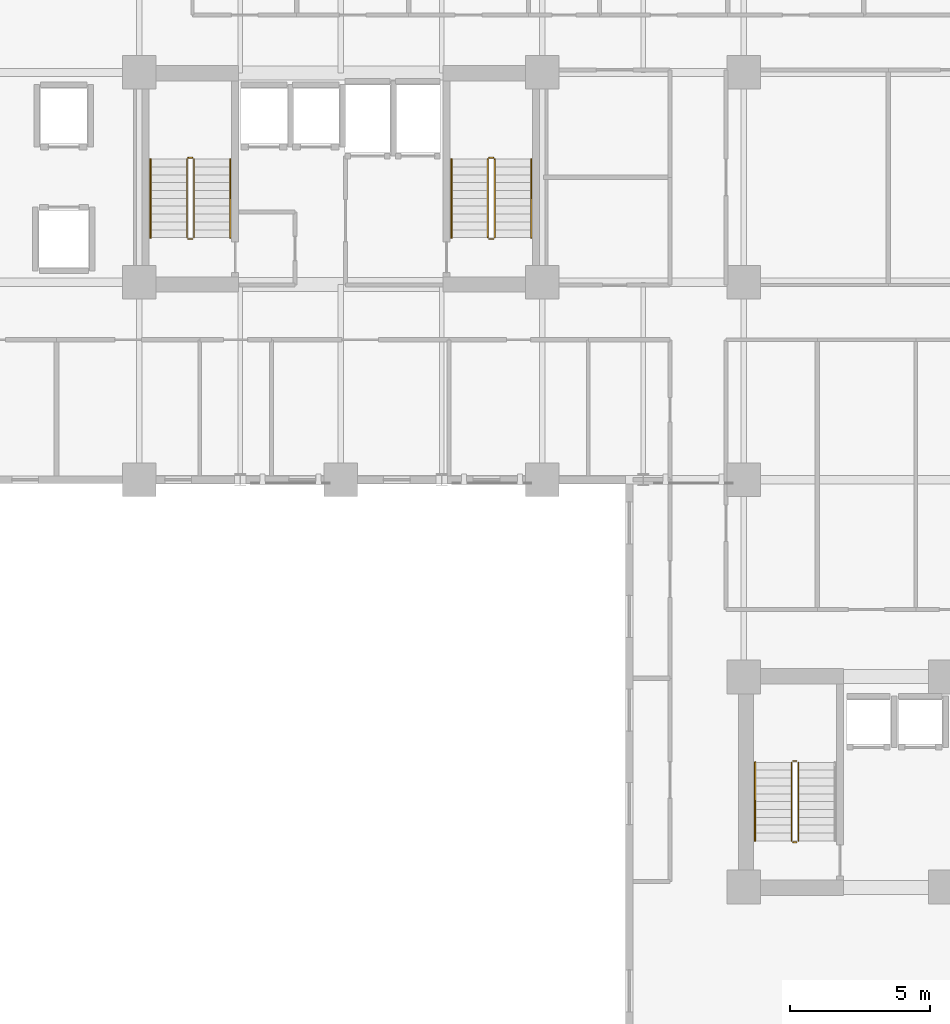
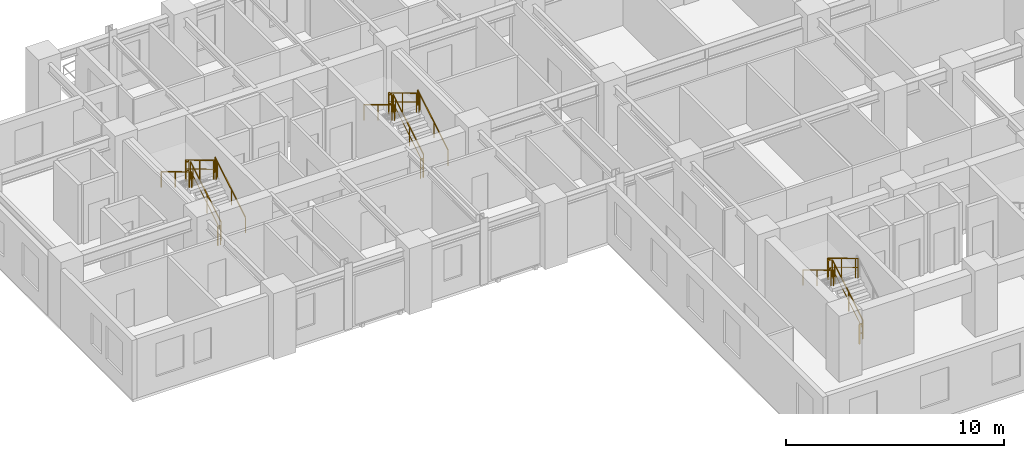
# One storey, part 9 of 11: 17 railings.
"""IFC4 building model written with IfcOpenShell, lengths in metres."""

import ifcopenshell
import ifcopenshell.guid

model = None  # the IFC model being written
_history = None  # IfcOwnerHistory: only IFC2X3 demands one
_inside = {}  # id of a spatial element -> (the spatial element, [elements in it])
_under = {}  # id of a project, library or spatial element -> (it, [spatial elements below it])
_declared = {}  # id of a project -> (the project, [libraries it declares])
_typed = {}  # id of a type object -> (the type object, [elements of that type])
_made_of = {}  # id of a material, layer set ... -> (it, [elements and type objects made of it])


def new_model(schema):
    """Start an empty IFC model of exactly this schema.

    Asked for "IFC4X3", IfcOpenShell would pick the latest addendum, in which some entities
    have other attributes; the version numbers below select the first issue.
    IFC2X3 requires an IfcOwnerHistory on every rooted entity: one is made here for all.
    """
    global model, _history
    if schema == "IFC4X3":
        model = ifcopenshell.file(schema_version=(4, 3, 0, 0))
    else:
        model = ifcopenshell.file(schema=schema)
    _inside.clear()
    _under.clear()
    _declared.clear()
    _typed.clear()
    _made_of.clear()
    _history = None
    if model.schema == "IFC2X3":
        org = make("IfcOrganization", Name="unknown")
        user = make(
            "IfcPersonAndOrganization",
            ThePerson=make("IfcPerson", FamilyName="unknown"),
            TheOrganization=org,
        )
        app = make(
            "IfcApplication",
            ApplicationDeveloper=org,
            Version="unknown",
            ApplicationFullName="unknown",
            ApplicationIdentifier="unknown",
        )
        _history = make(
            "IfcOwnerHistory",
            OwningUser=user,
            OwningApplication=app,
            ChangeAction="ADDED",
            CreationDate=0,
        )
    return model


def make(cls, **values):
    """One entity of the class cls with the attributes given. An attribute that is None is left unset."""
    return model.create_entity(
        cls, **{name: value for name, value in values.items() if value is not None}
    )


def rooted(cls, **values):
    """An entity with a GlobalId (a new one), such as an element, a storey or a relation."""
    return make(cls, GlobalId=ifcopenshell.guid.new(), OwnerHistory=_history, **values)


def si_unit(unit_type, name, prefix=None):
    """IfcSIUnit, for example si_unit("LENGTHUNIT", "METRE", prefix="MILLI")."""
    return make("IfcSIUnit", UnitType=unit_type, Prefix=prefix, Name=name)


def assignment(units):
    """IfcUnitAssignment: the units of a project."""
    return None if units is None else make("IfcUnitAssignment", Units=units)


def point(xyz):
    """IfcCartesianPoint."""
    return None if xyz is None else make("IfcCartesianPoint", Coordinates=xyz)


def direction(xyz):
    """IfcDirection."""
    return None if xyz is None else make("IfcDirection", DirectionRatios=xyz)


def frame(location, z_axis=None, x_axis=None):
    """IfcAxis2Placement3D, a coordinate frame: its origin and axes. An axis left out is left unset."""
    return make(
        "IfcAxis2Placement3D",
        Location=point(location),
        Axis=direction(z_axis),
        RefDirection=direction(x_axis),
    )


def frame_2d(location, x_axis=None):
    """IfcAxis2Placement2D, a coordinate frame in the plane: its origin and x axis."""
    return make(
        "IfcAxis2Placement2D", Location=point(location), RefDirection=direction(x_axis)
    )


def origin():
    """The frame at (0, 0, 0) with its axes left unset."""
    return frame((0.0, 0.0, 0.0))


def origin_2d():
    """The frame at (0, 0) in the plane with its x axis left unset."""
    return frame_2d((0.0, 0.0))


def place(relative_to, where):
    """IfcLocalPlacement: puts the frame where relative to a parent placement (None: the world)."""
    return make(
        "IfcLocalPlacement", PlacementRelTo=relative_to, RelativePlacement=where
    )


def context(
    kind, dimensions, precision=None, world=None, true_north=None, identifier=None
):
    """IfcGeometricRepresentationContext, for example the 3D "Model" context."""
    return make(
        "IfcGeometricRepresentationContext",
        ContextIdentifier=identifier,
        ContextType=kind,
        CoordinateSpaceDimension=dimensions,
        Precision=precision,
        WorldCoordinateSystem=world,
        TrueNorth=true_north,
    )


def subcontext(parent, identifier, kind, view, scale=None):
    """IfcGeometricRepresentationSubContext, for example "Body" below "Model"."""
    return make(
        "IfcGeometricRepresentationSubContext",
        ContextIdentifier=identifier,
        ContextType=kind,
        ParentContext=parent,
        TargetScale=scale,
        TargetView=view,
    )


def project(units=None, contexts=None):
    """IfcProject with its units and contexts."""
    return rooted(
        "IfcProject",
        Name="project",
        RepresentationContexts=contexts,
        UnitsInContext=assignment(units),
    )


def spatial(cls, under=None, at=None, **own):
    """A site, building, storey or space (cls), placed at a placement, below another one or the project."""
    s = rooted(cls, ObjectPlacement=at, **own)
    if under is not None:
        _under.setdefault(under.id(), (under, []))[1].append(s)
    return s


def profile(cls, at=None, kind="AREA", **sizes):
    """A parametric profile (cls). Its sizes go by their IFC names, for example OverallWidth=200.0."""
    return make(cls, ProfileType=kind, Position=at, **sizes)


def rectangle(**sizes):
    """IfcRectangleProfileDef."""
    return profile("IfcRectangleProfileDef", **sizes)


def extrude(swept, where, along, depth):
    """IfcExtrudedAreaSolid: the profile swept, set in the frame where, extruded along a direction by depth."""
    return make(
        "IfcExtrudedAreaSolid",
        SweptArea=swept,
        Position=where,
        ExtrudedDirection=direction(along),
        Depth=depth,
    )


def shape(context_of_items, identifier, shape_type, items):
    """IfcShapeRepresentation: the items that make up one representation, for example the "Body"."""
    return make(
        "IfcShapeRepresentation",
        ContextOfItems=context_of_items,
        RepresentationIdentifier=identifier,
        RepresentationType=shape_type,
        Items=items,
    )


def material(Name=None, Category=None):
    """IfcMaterial."""
    return make("IfcMaterial", Name=Name, Category=Category)


def made_of(thing, what):
    """Note that an element or type object is made of a material, layer set ...; save() writes the relation."""
    if what is not None:
        _made_of.setdefault(what.id(), (what, []))[1].append(thing)
    return thing


def type_object(cls, material=None, **own):
    """A type object (cls), such as IfcWallType, which elements share."""
    return made_of(rooted(cls, **own), material)


def element(
    cls,
    number,
    at=None,
    inside=None,
    cuts=None,
    type_object=None,
    material=None,
    context=None,
    identifier="Body",
    shape_type=None,
    held_by="IfcProductDefinitionShape",
    body=None,
    shapes=None,
    **own,
):
    """One element of the class cls, such as IfcWall. Its Tag is "e" and its number.

    at: its placement. inside: the storey or other place that contains it. cuts: it is an
    opening in that element (IfcRelVoidsElement). A single representation is given by context,
    identifier, shape_type and body (its items); several are given by shapes. held_by: the class
    of the entity that holds the representations. save() writes the other relations.
    """
    e = rooted(cls, Tag="e%d" % number, ObjectPlacement=at, **own)
    if body is not None:
        shapes = [shape(context, identifier, shape_type, body)]
    if shapes is not None:
        e.Representation = make(held_by, Representations=shapes)
    if inside is not None:
        _inside.setdefault(inside.id(), (inside, []))[1].append(e)
    if cuts is not None:
        rooted(
            "IfcRelVoidsElement", RelatingBuildingElement=cuts, RelatedOpeningElement=e
        )
    if type_object is not None:
        _typed.setdefault(type_object.id(), (type_object, []))[1].append(e)
    return made_of(e, material)


def aggregate(whole, parts):
    """IfcRelAggregates: a whole, such as a stair, and the parts it consists of."""
    return rooted("IfcRelAggregates", RelatingObject=whole, RelatedObjects=parts)


def save(model, path):
    """Write the relations noted so far, then the file.

    IfcRelAggregates (storeys below a building ...), IfcRelContainedInSpatialStructure (elements
    in a storey), IfcRelDefinesByType, IfcRelAssociatesMaterial and IfcRelDeclares: one each for
    every whole, place, type object, material and project.
    """
    for whole, parts in _under.values():
        aggregate(whole, parts)
    for where, things in _inside.values():
        rooted(
            "IfcRelContainedInSpatialStructure",
            RelatedElements=things,
            RelatingStructure=where,
        )
    for kind, things in _typed.values():
        rooted("IfcRelDefinesByType", RelatedObjects=things, RelatingType=kind)
    for what, things in _made_of.values():
        rooted("IfcRelAssociatesMaterial", RelatedObjects=things, RelatingMaterial=what)
    for by, libraries in _declared.values():
        rooted("IfcRelDeclares", RelatingContext=by, RelatedDefinitions=libraries)
    model.write(path)


model = new_model("IFC4")

# Units and contexts
model_context = context("Model", 3, precision=1e-05, world=origin(), true_north=direction((0.0, 1.0)))
body_context = subcontext(model_context, "Body", "Model", "MODEL_VIEW")
ifc_project = project(units=[si_unit("LENGTHUNIT", "METRE"), si_unit("AREAUNIT", "SQUARE_METRE"), si_unit("VOLUMEUNIT", "CUBIC_METRE"), si_unit("PLANEANGLEUNIT", "RADIAN"), si_unit("MASSUNIT", "GRAM", prefix="KILO")], contexts=[model_context])

# Site, building, storey
site_placement = place(None, origin())
site = spatial("IfcSite", under=ifc_project, at=site_placement, CompositionType="ELEMENT")
building_placement = place(site_placement, origin())
building = spatial("IfcBuilding", under=site, at=building_placement, Name="Kaliganga Portal Commons", CompositionType="ELEMENT")
storey_placement = place(building_placement, frame((0.0, 0.0, 126.699951171875)))
storey = spatial("IfcBuildingStorey", under=building, at=storey_placement, Name="L32", CompositionType="ELEMENT", Elevation=126.699951171875)

# Railings
ifc_material_1 = material(Name="Galvanized Painted Steel Balustrade", Category="steel")
railing_type_1 = type_object("IfcRailingType", Name="RLG-STAIR-GRD", PredefinedType="GUARDRAIL", material=ifc_material_1)
railing_1_placement = place(storey_placement, frame((16.35009765625, 30.25, 0.168212890625)))
element("IfcRailing", 1, at=railing_1_placement, inside=storey, type_object=railing_type_1, Name="L32 ST-A1 stair guard 1", PredefinedType="GUARDRAIL", context=body_context, shape_type="SweptSolid", body=[
    extrude(rectangle(XDim=0.048095703125, YDim=0.048095703125, at=origin_2d()), frame((0.0, 0.0, 1.072021484375), z_axis=(0.0, 0.857242210791, 0.514913383045), x_axis=(-1.0, 0.0, 0.0)), (0.0, 0.0, 1.0), 3.266357421875),
    extrude(rectangle(XDim=0.028076171875, YDim=0.028076171875, at=origin_2d()), frame((0.0, 0.0, 0.572021484375), z_axis=(0.0, 0.857242210791, 0.514913383045), x_axis=(-1.0, 0.0, 0.0)), (0.0, 0.0, 1.0), 3.266357421875),
    extrude(rectangle(XDim=0.0419921875, YDim=0.0419921875, at=origin_2d()), origin(), (0.0, 0.0, 1.0), 1.052001953125),
    extrude(rectangle(XDim=0.0419921875, YDim=0.0419921875, at=origin_2d()), frame((0.0, 1.285888671875, 0.7724609375)), (0.0, 0.0, 1.0), 1.052001953125),
    extrude(rectangle(XDim=0.0419921875, YDim=0.0419921875, at=origin_2d()), frame((0.0, 2.57177734375, 1.544677734375)), (0.0, 0.0, 1.0), 1.052001953125),
    extrude(rectangle(XDim=0.0419921875, YDim=0.0419921875, at=origin_2d()), frame((0.0, 2.800048828125, 1.681884765625)), (0.0, 0.0, 1.0), 1.052001953125),
])
railing_2_placement = place(storey_placement, frame((16.300048828125, 33.10009765625, 1.85009765625)))
element("IfcRailing", 2, at=railing_2_placement, inside=storey, type_object=railing_type_1, Name="L32 ST-A1 stair guard 2", PredefinedType="GUARDRAIL", context=body_context, shape_type="SweptSolid", body=[
    extrude(rectangle(XDim=0.048095703125, YDim=0.048095703125, at=origin_2d()), frame((0.0, 0.0, 1.076171875), z_axis=(-1.0, 0.0, 0.0), x_axis=(0.0, -1.0, 0.0)), (0.0, 0.0, 1.0), 0.150146484375),
    extrude(rectangle(XDim=0.028076171875, YDim=0.028076171875, at=origin_2d()), frame((0.0, 0.0, 0.572021484375), z_axis=(-1.0, 0.0, 0.0), x_axis=(0.0, -1.0, 0.0)), (0.0, 0.0, 1.0), 0.150146484375),
    extrude(rectangle(XDim=0.0419921875, YDim=0.0419921875, at=origin_2d()), origin(), (0.0, 0.0, 1.0), 1.052001953125),
    extrude(rectangle(XDim=0.0419921875, YDim=0.0419921875, at=origin_2d()), frame((-0.150146484375, 0.0, 0.0)), (0.0, 0.0, 1.0), 1.052001953125),
])
railing_3_placement = place(storey_placement, frame((16.10009765625, 33.050048828125, 2.018310546875)))
element("IfcRailing", 3, at=railing_3_placement, inside=storey, type_object=railing_type_1, Name="L32 ST-A1 stair guard 3", PredefinedType="GUARDRAIL", context=body_context, shape_type="SweptSolid", body=[
    extrude(rectangle(XDim=0.048095703125, YDim=0.048095703125, at=origin_2d()), frame((0.0, 0.0, 1.072021484375), z_axis=(0.0, -0.857275202839, 0.514858452973), x_axis=(1.0, 0.0, 0.0)), (0.0, 0.0, 1.0), 3.26611328125),
    extrude(rectangle(XDim=0.028076171875, YDim=0.028076171875, at=origin_2d()), frame((0.0, 0.0, 0.572021484375), z_axis=(0.0, -0.857275202839, 0.514858452973), x_axis=(1.0, 0.0, 0.0)), (0.0, 0.0, 1.0), 3.26611328125),
    extrude(rectangle(XDim=0.0419921875, YDim=0.0419921875, at=origin_2d()), origin(), (0.0, 0.0, 1.0), 1.052001953125),
    extrude(rectangle(XDim=0.0419921875, YDim=0.0419921875, at=origin_2d()), frame((0.0, -1.285888671875, 0.772216796875)), (0.0, 0.0, 1.0), 1.052001953125),
    extrude(rectangle(XDim=0.0419921875, YDim=0.0419921875, at=origin_2d()), frame((0.0, -2.57177734375, 1.544677734375)), (0.0, 0.0, 1.0), 1.052001953125),
    extrude(rectangle(XDim=0.0419921875, YDim=0.0419921875, at=origin_2d()), frame((0.0, -2.800048828125, 1.681640625)), (0.0, 0.0, 1.0), 1.052001953125),
])
railing_4_placement = place(storey_placement, frame((16.300048828125, 30.199951171875, 0.0)))
element("IfcRailing", 4, at=railing_4_placement, inside=storey, type_object=railing_type_1, Name="L32 ST-A1 stair guard 4", PredefinedType="GUARDRAIL", context=body_context, shape_type="SweptSolid", body=[
    extrude(rectangle(XDim=0.048095703125, YDim=0.048095703125, at=origin_2d()), frame((0.0, 0.0, 1.076171875), z_axis=(-1.0, 0.0, 0.0), x_axis=(0.0, -1.0, 0.0)), (0.0, 0.0, 1.0), 0.150146484375),
    extrude(rectangle(XDim=0.028076171875, YDim=0.028076171875, at=origin_2d()), frame((0.0, 0.0, 0.572021484375), z_axis=(-1.0, 0.0, 0.0), x_axis=(0.0, -1.0, 0.0)), (0.0, 0.0, 1.0), 0.150146484375),
    extrude(rectangle(XDim=0.0419921875, YDim=0.0419921875, at=origin_2d()), origin(), (0.0, 0.0, 1.0), 1.052001953125),
    extrude(rectangle(XDim=0.0419921875, YDim=0.0419921875, at=origin_2d()), frame((-0.150146484375, 0.0, 0.0)), (0.0, 0.0, 1.0), 1.052001953125),
])
railing_5_placement = place(storey_placement, frame((27.10009765625, 30.25, 0.168212890625)))
element("IfcRailing", 5, at=railing_5_placement, inside=storey, type_object=railing_type_1, Name="L32 ST-A2 stair guard 1", PredefinedType="GUARDRAIL", context=body_context, shape_type="SweptSolid", body=[
    extrude(rectangle(XDim=0.048095703125, YDim=0.048095703125, at=origin_2d()), frame((0.0, 0.0, 1.072021484375), z_axis=(0.0, 0.857242210791, 0.514913383045), x_axis=(-1.0, 0.0, 0.0)), (0.0, 0.0, 1.0), 3.266357421875),
    extrude(rectangle(XDim=0.028076171875, YDim=0.028076171875, at=origin_2d()), frame((0.0, 0.0, 0.572021484375), z_axis=(0.0, 0.857242210791, 0.514913383045), x_axis=(-1.0, 0.0, 0.0)), (0.0, 0.0, 1.0), 3.266357421875),
    extrude(rectangle(XDim=0.0419921875, YDim=0.0419921875, at=origin_2d()), origin(), (0.0, 0.0, 1.0), 1.052001953125),
    extrude(rectangle(XDim=0.0419921875, YDim=0.0419921875, at=origin_2d()), frame((0.0, 1.285888671875, 0.7724609375)), (0.0, 0.0, 1.0), 1.052001953125),
    extrude(rectangle(XDim=0.0419921875, YDim=0.0419921875, at=origin_2d()), frame((0.0, 2.57177734375, 1.544677734375)), (0.0, 0.0, 1.0), 1.052001953125),
    extrude(rectangle(XDim=0.0419921875, YDim=0.0419921875, at=origin_2d()), frame((0.0, 2.800048828125, 1.681884765625)), (0.0, 0.0, 1.0), 1.052001953125),
])
railing_6_placement = place(storey_placement, frame((27.050048828125, 33.10009765625, 1.85009765625)))
element("IfcRailing", 6, at=railing_6_placement, inside=storey, type_object=railing_type_1, Name="L32 ST-A2 stair guard 2", PredefinedType="GUARDRAIL", context=body_context, shape_type="SweptSolid", body=[
    extrude(rectangle(XDim=0.048095703125, YDim=0.048095703125, at=origin_2d()), frame((0.0, 0.0, 1.076171875), z_axis=(-1.0, 0.0, 0.0), x_axis=(0.0, -1.0, 0.0)), (0.0, 0.0, 1.0), 0.150146484375),
    extrude(rectangle(XDim=0.028076171875, YDim=0.028076171875, at=origin_2d()), frame((0.0, 0.0, 0.572021484375), z_axis=(-1.0, 0.0, 0.0), x_axis=(0.0, -1.0, 0.0)), (0.0, 0.0, 1.0), 0.150146484375),
    extrude(rectangle(XDim=0.0419921875, YDim=0.0419921875, at=origin_2d()), origin(), (0.0, 0.0, 1.0), 1.052001953125),
    extrude(rectangle(XDim=0.0419921875, YDim=0.0419921875, at=origin_2d()), frame((-0.150146484375, 0.0, 0.0)), (0.0, 0.0, 1.0), 1.052001953125),
])
railing_7_placement = place(storey_placement, frame((26.85009765625, 33.050048828125, 2.018310546875)))
element("IfcRailing", 7, at=railing_7_placement, inside=storey, type_object=railing_type_1, Name="L32 ST-A2 stair guard 3", PredefinedType="GUARDRAIL", context=body_context, shape_type="SweptSolid", body=[
    extrude(rectangle(XDim=0.048095703125, YDim=0.048095703125, at=origin_2d()), frame((0.0, 0.0, 1.072021484375), z_axis=(0.0, -0.857275202839, 0.514858452973), x_axis=(1.0, 0.0, 0.0)), (0.0, 0.0, 1.0), 3.26611328125),
    extrude(rectangle(XDim=0.028076171875, YDim=0.028076171875, at=origin_2d()), frame((0.0, 0.0, 0.572021484375), z_axis=(0.0, -0.857275202839, 0.514858452973), x_axis=(1.0, 0.0, 0.0)), (0.0, 0.0, 1.0), 3.26611328125),
    extrude(rectangle(XDim=0.0419921875, YDim=0.0419921875, at=origin_2d()), origin(), (0.0, 0.0, 1.0), 1.052001953125),
    extrude(rectangle(XDim=0.0419921875, YDim=0.0419921875, at=origin_2d()), frame((0.0, -1.285888671875, 0.772216796875)), (0.0, 0.0, 1.0), 1.052001953125),
    extrude(rectangle(XDim=0.0419921875, YDim=0.0419921875, at=origin_2d()), frame((0.0, -2.57177734375, 1.544677734375)), (0.0, 0.0, 1.0), 1.052001953125),
    extrude(rectangle(XDim=0.0419921875, YDim=0.0419921875, at=origin_2d()), frame((0.0, -2.800048828125, 1.681640625)), (0.0, 0.0, 1.0), 1.052001953125),
])
railing_8_placement = place(storey_placement, frame((27.050048828125, 30.199951171875, 0.0)))
element("IfcRailing", 8, at=railing_8_placement, inside=storey, type_object=railing_type_1, Name="L32 ST-A2 stair guard 4", PredefinedType="GUARDRAIL", context=body_context, shape_type="SweptSolid", body=[
    extrude(rectangle(XDim=0.048095703125, YDim=0.048095703125, at=origin_2d()), frame((0.0, 0.0, 1.076171875), z_axis=(-1.0, 0.0, 0.0), x_axis=(0.0, -1.0, 0.0)), (0.0, 0.0, 1.0), 0.150146484375),
    extrude(rectangle(XDim=0.028076171875, YDim=0.028076171875, at=origin_2d()), frame((0.0, 0.0, 0.572021484375), z_axis=(-1.0, 0.0, 0.0), x_axis=(0.0, -1.0, 0.0)), (0.0, 0.0, 1.0), 0.150146484375),
    extrude(rectangle(XDim=0.0419921875, YDim=0.0419921875, at=origin_2d()), origin(), (0.0, 0.0, 1.0), 1.052001953125),
    extrude(rectangle(XDim=0.0419921875, YDim=0.0419921875, at=origin_2d()), frame((-0.150146484375, 0.0, 0.0)), (0.0, 0.0, 1.0), 1.052001953125),
])
railing_9_placement = place(storey_placement, frame((37.949951171875, 8.699951171875, 0.168212890625)))
element("IfcRailing", 9, at=railing_9_placement, inside=storey, type_object=railing_type_1, Name="L32 ST-B1 stair guard 1", PredefinedType="GUARDRAIL", context=body_context, shape_type="SweptSolid", body=[
    extrude(rectangle(XDim=0.048095703125, YDim=0.048095703125, at=origin_2d()), frame((0.0, 0.0, 1.072021484375), z_axis=(0.0, 0.857242210791, 0.514913383045), x_axis=(-1.0, 0.0, 0.0)), (0.0, 0.0, 1.0), 3.266357421875),
    extrude(rectangle(XDim=0.028076171875, YDim=0.028076171875, at=origin_2d()), frame((0.0, 0.0, 0.572021484375), z_axis=(0.0, 0.857242210791, 0.514913383045), x_axis=(-1.0, 0.0, 0.0)), (0.0, 0.0, 1.0), 3.266357421875),
    extrude(rectangle(XDim=0.0419921875, YDim=0.0419921875, at=origin_2d()), origin(), (0.0, 0.0, 1.0), 1.052001953125),
    extrude(rectangle(XDim=0.0419921875, YDim=0.0419921875, at=origin_2d()), frame((0.0, 1.285888671875, 0.7724609375)), (0.0, 0.0, 1.0), 1.052001953125),
    extrude(rectangle(XDim=0.0419921875, YDim=0.0419921875, at=origin_2d()), frame((0.0, 2.57177734375, 1.544677734375)), (0.0, 0.0, 1.0), 1.052001953125),
    extrude(rectangle(XDim=0.0419921875, YDim=0.0419921875, at=origin_2d()), frame((0.0, 2.800048828125, 1.681884765625)), (0.0, 0.0, 1.0), 1.052001953125),
])
railing_10_placement = place(storey_placement, frame((37.89990234375, 11.550048828125, 1.85009765625)))
element("IfcRailing", 10, at=railing_10_placement, inside=storey, type_object=railing_type_1, Name="L32 ST-B1 stair guard 2", PredefinedType="GUARDRAIL", context=body_context, shape_type="SweptSolid", body=[
    extrude(rectangle(XDim=0.048095703125, YDim=0.048095703125, at=origin_2d()), frame((0.0, 0.0, 1.076171875), z_axis=(-1.0, 0.0, 0.0), x_axis=(0.0, -1.0, 0.0)), (0.0, 0.0, 1.0), 0.14990234375),
    extrude(rectangle(XDim=0.028076171875, YDim=0.028076171875, at=origin_2d()), frame((0.0, 0.0, 0.572021484375), z_axis=(-1.0, 0.0, 0.0), x_axis=(0.0, -1.0, 0.0)), (0.0, 0.0, 1.0), 0.14990234375),
    extrude(rectangle(XDim=0.0419921875, YDim=0.0419921875, at=origin_2d()), frame((-0.14990234375, 0.0, 0.0)), (0.0, 0.0, 1.0), 1.052001953125),
])
railing_11_placement = place(storey_placement, frame((37.699951171875, 11.5, 2.018310546875)))
element("IfcRailing", 11, at=railing_11_placement, inside=storey, type_object=railing_type_1, Name="L32 ST-B1 stair guard 3", PredefinedType="GUARDRAIL", context=body_context, shape_type="SweptSolid", body=[
    extrude(rectangle(XDim=0.048095703125, YDim=0.048095703125, at=origin_2d()), frame((0.0, 0.0, 1.072021484375), z_axis=(0.0, -0.857275202839, 0.514858452973), x_axis=(1.0, 0.0, 0.0)), (0.0, 0.0, 1.0), 3.26611328125),
    extrude(rectangle(XDim=0.028076171875, YDim=0.028076171875, at=origin_2d()), frame((0.0, 0.0, 0.572021484375), z_axis=(0.0, -0.857275202839, 0.514858452973), x_axis=(1.0, 0.0, 0.0)), (0.0, 0.0, 1.0), 3.26611328125),
    extrude(rectangle(XDim=0.0419921875, YDim=0.0419921875, at=origin_2d()), origin(), (0.0, 0.0, 1.0), 1.052001953125),
    extrude(rectangle(XDim=0.0419921875, YDim=0.0419921875, at=origin_2d()), frame((0.0, -1.285888671875, 0.772216796875)), (0.0, 0.0, 1.0), 1.052001953125),
    extrude(rectangle(XDim=0.0419921875, YDim=0.0419921875, at=origin_2d()), frame((0.0, -2.57177734375, 1.544677734375)), (0.0, 0.0, 1.0), 1.052001953125),
    extrude(rectangle(XDim=0.0419921875, YDim=0.0419921875, at=origin_2d()), frame((0.0, -2.800048828125, 1.681640625)), (0.0, 0.0, 1.0), 1.052001953125),
])
railing_12_placement = place(storey_placement, frame((37.89990234375, 8.64990234375, 0.0)))
element("IfcRailing", 12, at=railing_12_placement, inside=storey, type_object=railing_type_1, Name="L32 ST-B1 stair guard 4", PredefinedType="GUARDRAIL", context=body_context, shape_type="SweptSolid", body=[
    extrude(rectangle(XDim=0.048095703125, YDim=0.048095703125, at=origin_2d()), frame((0.0, 0.0, 1.076171875), z_axis=(-1.0, 0.0, 0.0), x_axis=(0.0, -1.0, 0.0)), (0.0, 0.0, 1.0), 0.14990234375),
    extrude(rectangle(XDim=0.028076171875, YDim=0.028076171875, at=origin_2d()), frame((0.0, 0.0, 0.572021484375), z_axis=(-1.0, 0.0, 0.0), x_axis=(0.0, -1.0, 0.0)), (0.0, 0.0, 1.0), 0.14990234375),
    extrude(rectangle(XDim=0.0419921875, YDim=0.0419921875, at=origin_2d()), frame((-0.14990234375, 0.0, 0.0)), (0.0, 0.0, 1.0), 1.052001953125),
])
ifc_material_2 = material(Name="Brushed Stainless Steel 316", Category="steel")
railing_type_2 = type_object("IfcRailingType", Name="RLG-STAIR-HR", PredefinedType="HANDRAIL", material=ifc_material_2)
railing_13_placement = place(storey_placement, frame((17.64990234375, 30.25, 0.168212890625)))
element("IfcRailing", 13, at=railing_13_placement, inside=storey, type_object=railing_type_2, Name="L32 ST-A1 stair handrail 1", PredefinedType="HANDRAIL", context=body_context, shape_type="SweptSolid", body=[
    extrude(rectangle(XDim=0.048095703125, YDim=0.048095703125, at=origin_2d()), frame((0.0, 0.0, 0.871826171875), z_axis=(0.0, 0.857242210791, 0.514913383045), x_axis=(-1.0, 0.0, 0.0)), (0.0, 0.0, 1.0), 3.266357421875),
    extrude(rectangle(XDim=0.0419921875, YDim=0.0419921875, at=origin_2d()), origin(), (0.0, 0.0, 1.0), 0.851806640625),
    extrude(rectangle(XDim=0.0419921875, YDim=0.0419921875, at=origin_2d()), frame((0.0, 1.285888671875, 0.7724609375)), (0.0, 0.0, 1.0), 0.851806640625),
    extrude(rectangle(XDim=0.0419921875, YDim=0.0419921875, at=origin_2d()), frame((0.0, 2.57177734375, 1.544677734375)), (0.0, 0.0, 1.0), 0.851806640625),
    extrude(rectangle(XDim=0.0419921875, YDim=0.0419921875, at=origin_2d()), frame((0.0, 2.800048828125, 1.681884765625)), (0.0, 0.0, 1.0), 0.851806640625),
])
railing_14_placement = place(storey_placement, frame((14.800048828125, 33.050048828125, 2.018310546875)))
element("IfcRailing", 14, at=railing_14_placement, inside=storey, type_object=railing_type_2, Name="L32 ST-A1 stair handrail 2", PredefinedType="HANDRAIL", context=body_context, shape_type="SweptSolid", body=[
    extrude(rectangle(XDim=0.048095703125, YDim=0.048095703125, at=origin_2d()), frame((0.0, 0.0, 0.871826171875), z_axis=(0.0, -0.857275202839, 0.514858452973), x_axis=(1.0, 0.0, 0.0)), (0.0, 0.0, 1.0), 3.26611328125),
    extrude(rectangle(XDim=0.0419921875, YDim=0.0419921875, at=origin_2d()), origin(), (0.0, 0.0, 1.0), 0.851806640625),
    extrude(rectangle(XDim=0.0419921875, YDim=0.0419921875, at=origin_2d()), frame((0.0, -1.285888671875, 0.772216796875)), (0.0, 0.0, 1.0), 0.851806640625),
    extrude(rectangle(XDim=0.0419921875, YDim=0.0419921875, at=origin_2d()), frame((0.0, -2.57177734375, 1.544677734375)), (0.0, 0.0, 1.0), 0.851806640625),
    extrude(rectangle(XDim=0.0419921875, YDim=0.0419921875, at=origin_2d()), frame((0.0, -2.800048828125, 1.681640625)), (0.0, 0.0, 1.0), 0.851806640625),
])
railing_15_placement = place(storey_placement, frame((28.39990234375, 30.25, 0.168212890625)))
element("IfcRailing", 15, at=railing_15_placement, inside=storey, type_object=railing_type_2, Name="L32 ST-A2 stair handrail 1", PredefinedType="HANDRAIL", context=body_context, shape_type="SweptSolid", body=[
    extrude(rectangle(XDim=0.048095703125, YDim=0.048095703125, at=origin_2d()), frame((0.0, 0.0, 0.871826171875), z_axis=(0.0, 0.857242210791, 0.514913383045), x_axis=(-1.0, 0.0, 0.0)), (0.0, 0.0, 1.0), 3.266357421875),
    extrude(rectangle(XDim=0.0419921875, YDim=0.0419921875, at=origin_2d()), origin(), (0.0, 0.0, 1.0), 0.851806640625),
    extrude(rectangle(XDim=0.0419921875, YDim=0.0419921875, at=origin_2d()), frame((0.0, 1.285888671875, 0.7724609375)), (0.0, 0.0, 1.0), 0.851806640625),
    extrude(rectangle(XDim=0.0419921875, YDim=0.0419921875, at=origin_2d()), frame((0.0, 2.57177734375, 1.544677734375)), (0.0, 0.0, 1.0), 0.851806640625),
    extrude(rectangle(XDim=0.0419921875, YDim=0.0419921875, at=origin_2d()), frame((0.0, 2.800048828125, 1.681884765625)), (0.0, 0.0, 1.0), 0.851806640625),
])
for number, where, name in (
    (16, (25.550048828125, 33.050048828125, 2.018310546875), "L32 ST-A2 stair handrail 2"),
    (17, (36.39990234375, 11.5, 2.018310546875), "L32 ST-B1 stair handrail 2"),
):
    element("IfcRailing", number, at=place(storey_placement, frame(where)), inside=storey, type_object=railing_type_2, Name=name, PredefinedType="HANDRAIL", context=body_context, shape_type="SweptSolid", body=[
        extrude(rectangle(XDim=0.048095703125, YDim=0.048095703125, at=origin_2d()), frame((0.0, 0.0, 0.871826171875), z_axis=(0.0, -0.857275202839, 0.514858452973), x_axis=(1.0, 0.0, 0.0)), (0.0, 0.0, 1.0), 3.26611328125),
        extrude(rectangle(XDim=0.0419921875, YDim=0.0419921875, at=origin_2d()), origin(), (0.0, 0.0, 1.0), 0.851806640625),
        extrude(rectangle(XDim=0.0419921875, YDim=0.0419921875, at=origin_2d()), frame((0.0, -1.285888671875, 0.772216796875)), (0.0, 0.0, 1.0), 0.851806640625),
        extrude(rectangle(XDim=0.0419921875, YDim=0.0419921875, at=origin_2d()), frame((0.0, -2.57177734375, 1.544677734375)), (0.0, 0.0, 1.0), 0.851806640625),
        extrude(rectangle(XDim=0.0419921875, YDim=0.0419921875, at=origin_2d()), frame((0.0, -2.800048828125, 1.681640625)), (0.0, 0.0, 1.0), 0.851806640625),
    ])

save(model, "model.ifc")
